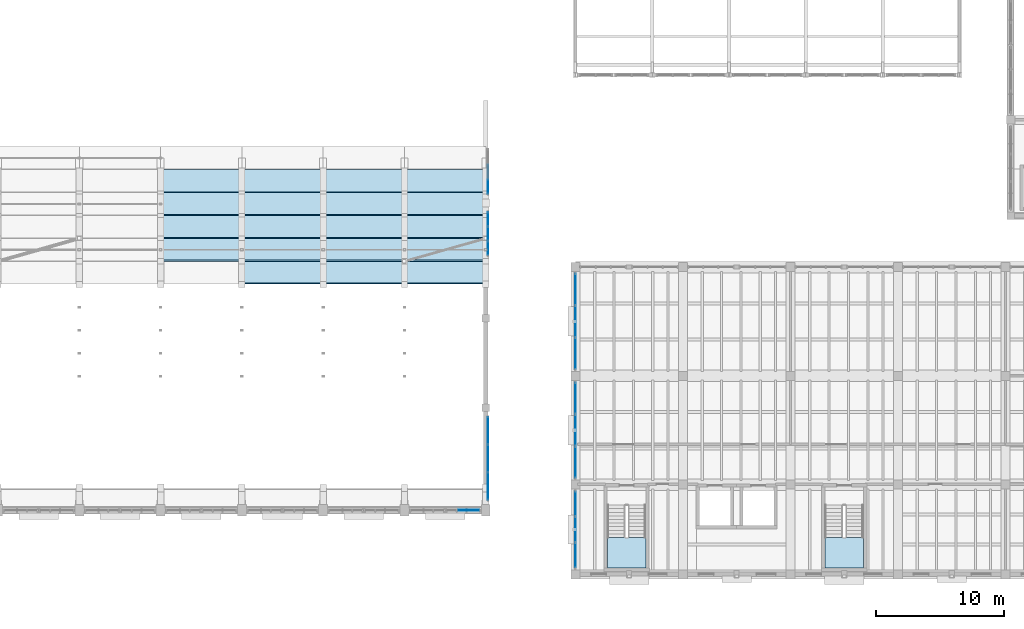
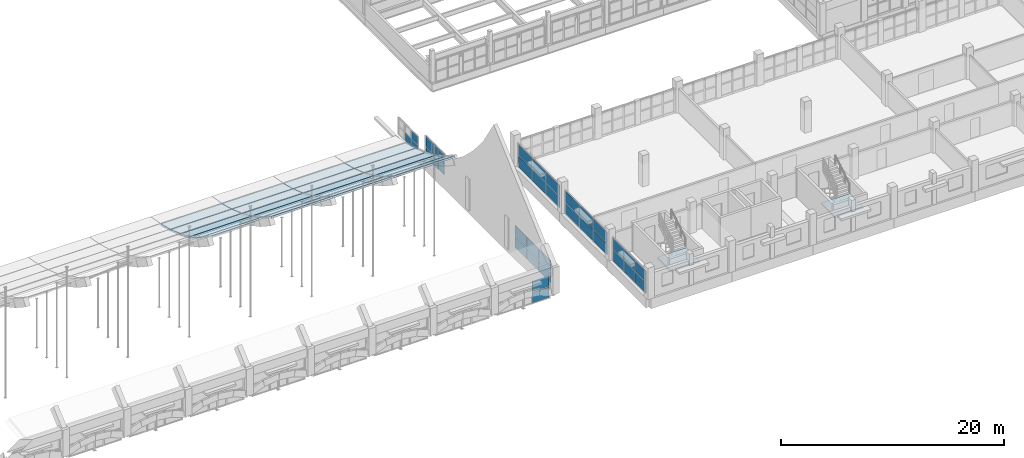
# One storey, part 51 of 77: 35 plates, 21 slabs, 9 elements without a shape of their own.
"""IFC4 building model written with IfcOpenShell, lengths in metres."""

from ifc_helpers import new_model, si_unit, direction, frame, origin, origin_2d, place, context, subcontext, project, spatial, polyline, rectangle, outline, extrude, material, layer, layer_set, type_object, element, aggregate, save


model = new_model("IFC4")

# Units and contexts
model_context = context("Model", 3, precision=1e-05, world=origin(), true_north=direction((0.0, 1.0)))
body_context = subcontext(model_context, "Body", "Model", "MODEL_VIEW")
ifc_project = project(units=[si_unit("LENGTHUNIT", "METRE"), si_unit("AREAUNIT", "SQUARE_METRE"), si_unit("VOLUMEUNIT", "CUBIC_METRE"), si_unit("PLANEANGLEUNIT", "RADIAN"), si_unit("MASSUNIT", "GRAM", prefix="KILO")], contexts=[model_context])

# Site, building, storey
site_placement = place(None, origin())
site = spatial("IfcSite", under=ifc_project, at=site_placement, CompositionType="ELEMENT")
building_placement = place(site_placement, origin())
building = spatial("IfcBuilding", under=site, at=building_placement, Name="Trellovar Central Fire Station", CompositionType="ELEMENT")
storey_placement = place(building_placement, frame((0.0, 0.0, 5.85009765625)))
storey = spatial("IfcBuildingStorey", under=building, at=storey_placement, Name="L02", CompositionType="ELEMENT", Elevation=5.85009765625)

# Curtain wall, plate
ifc_material_1 = material(Name="Thermally broken bronze anodized aluminum", Category="aluminium")
ifc_layer_1 = layer(ifc_material_1, 0.159912109375)
ifc_layer_set_1 = layer_set([ifc_layer_1], Name="Thermally broken bronze anodized aluminum")
curtain_wall_type_1 = type_object("IfcCurtainWallType", Name="CW-15", PredefinedType="NOTDEFINED", material=ifc_layer_set_1)
curtain_wall_1_placement = place(storey_placement, origin())
curtain_wall_1 = element("IfcCurtainWall", 1, at=curtain_wall_1_placement, inside=storey, type_object=curtain_wall_type_1, Name="V1 E ski-jump gable clerestory 1", PredefinedType="NOTDEFINED")
ifc_material_2 = material(Name="Double low-E solar control insulated glazing", Category="glass")
ifc_layer_2 = layer(ifc_material_2, 0.031982421875)
ifc_layer_set_2 = layer_set([ifc_layer_2], Name="Double low-E solar control insulated glazing")
plate_type_1 = type_object("IfcPlateType", Name="CWP-GL1", PredefinedType="CURTAIN_PANEL", material=ifc_layer_set_2)
plate_1_placement = place(storey_placement, frame((98.679931640625, 15.88330078125, 0.389892578125), z_axis=(0.0, 0.0, 1.0), x_axis=(0.0, 1.0, 0.0)))
plate_1 = element("IfcPlate", 2, at=plate_1_placement, type_object=plate_type_1, Name="CW3-L02-0016 panel 1-1", PredefinedType="CURTAIN_PANEL", context=body_context, shape_type="SweptSolid", body=[
    extrude(rectangle(XDim=2.086669921875, YDim=0.031982421875, at=origin_2d()), origin(), (0.0, 0.0, 1.0), 1.169921875),
])

# Curtain wall, plates
ifc_material_3 = material(Name="Thermally broken bronze anodized aluminum", Category="aluminium")
ifc_layer_3 = layer(ifc_material_3, 0.159912109375)
ifc_layer_set_3 = layer_set([ifc_layer_3], Name="Thermally broken bronze anodized aluminum")
curtain_wall_type_2 = type_object("IfcCurtainWallType", Name="CW-16", PredefinedType="NOTDEFINED", material=ifc_layer_set_3)
curtain_wall_2_placement = place(storey_placement, origin())
curtain_wall_2 = element("IfcCurtainWall", 3, at=curtain_wall_2_placement, inside=storey, type_object=curtain_wall_type_2, Name="V1 E ski-jump gable clerestory 4", PredefinedType="NOTDEFINED")
plate_2_placement = place(storey_placement, frame((98.679931640625, 34.466796875, 1.76513671875), z_axis=(0.0, 0.0, 1.0), x_axis=(0.0, 1.0, 0.0)))
plate_2 = element("IfcPlate", 4, at=plate_2_placement, type_object=plate_type_1, Name="CW3-L02-0019 panel 1-2", PredefinedType="CURTAIN_PANEL", context=body_context, shape_type="SweptSolid", body=[
    extrude(rectangle(XDim=1.05322265625, YDim=0.031982421875, at=origin_2d()), origin(), (0.0, 0.0, 1.0), 1.094970703125),
])
plate_3_placement = place(storey_placement, frame((98.679931640625, 35.60009765625, 0.58984375), z_axis=(0.0, 0.0, 1.0), x_axis=(0.0, 1.0, 0.0)))
plate_3 = element("IfcPlate", 5, at=plate_3_placement, type_object=plate_type_1, Name="CW3-L02-0019 panel 2-1", PredefinedType="CURTAIN_PANEL", context=body_context, shape_type="SweptSolid", body=[
    extrude(rectangle(XDim=1.053466796875, YDim=0.031982421875, at=origin_2d()), origin(), (0.0, 0.0, 1.0), 1.094970703125),
])

# Curtain wall, plate
ifc_material_4 = material(Name="Thermally broken bronze anodized aluminum", Category="aluminium")
ifc_layer_4 = layer(ifc_material_4, 0.159912109375)
ifc_layer_set_4 = layer_set([ifc_layer_4], Name="Thermally broken bronze anodized aluminum")
curtain_wall_type_3 = type_object("IfcCurtainWallType", Name="CW-07", PredefinedType="NOTDEFINED", material=ifc_layer_set_4)
curtain_wall_3_placement = place(storey_placement, origin())
curtain_wall_3 = element("IfcCurtainWall", 6, at=curtain_wall_3_placement, inside=storey, type_object=curtain_wall_type_3, Name="V1 E ski-jump gable clerestory 5", PredefinedType="NOTDEFINED")
plate_4_placement = place(storey_placement, frame((98.679931640625, 39.283447265625, 0.14013671875), z_axis=(0.0, 0.0, 1.0), x_axis=(0.0, 1.0, 0.0)))
plate_4 = element("IfcPlate", 7, at=plate_4_placement, type_object=plate_type_1, Name="CW3-L02-0020 panel 1-1", PredefinedType="CURTAIN_PANEL", context=body_context, shape_type="SweptSolid", body=[
    extrude(rectangle(XDim=1.086669921875, YDim=0.031982421875, at=origin_2d()), origin(), (0.0, 0.0, 1.0), 0.844970703125),
])

ifc_material_5 = material(Name="Thermally broken bronze anodized aluminum", Category="aluminium")
ifc_layer_5 = layer(ifc_material_5, 0.159912109375)
ifc_layer_set_5 = layer_set([ifc_layer_5], Name="Thermally broken bronze anodized aluminum")
curtain_wall_type_4 = type_object("IfcCurtainWallType", Name="CW-12", PredefinedType="NOTDEFINED", material=ifc_layer_set_5)
curtain_wall_4_placement = place(storey_placement, origin())
curtain_wall_4 = element("IfcCurtainWall", 8, at=curtain_wall_4_placement, inside=storey, type_object=curtain_wall_type_4, Name="V5 L02 west courtyard curtain wall", PredefinedType="NOTDEFINED")
plate_5_placement = place(storey_placement, frame((105.5, 14.5, 1.31494140625), z_axis=(0.0, 0.0, 1.0), x_axis=(0.0, -1.0, 0.0)))
plate_5 = element("IfcPlate", 9, at=plate_5_placement, type_object=plate_type_1, Name="CW3-L02-0071 panel 1-2", PredefinedType="CURTAIN_PANEL", context=body_context, shape_type="SweptSolid", body=[
    extrude(rectangle(XDim=1.919921875, YDim=0.031982421875, at=origin_2d()), origin(), (0.0, 0.0, 1.0), 1.195068359375),
])

curtain_wall_5_placement = place(storey_placement, origin())
curtain_wall_5 = element("IfcCurtainWall", 10, at=curtain_wall_5_placement, inside=storey, type_object=curtain_wall_type_4, Name="V5 L02 west courtyard curtain wall", PredefinedType="NOTDEFINED")
plate_6_placement = place(storey_placement, frame((105.5, 26.25, 1.31494140625), z_axis=(0.0, 0.0, 1.0), x_axis=(0.0, -1.0, 0.0)))
plate_6 = element("IfcPlate", 11, at=plate_6_placement, type_object=plate_type_1, Name="CW3-L02-0073 panel 3-2", PredefinedType="CURTAIN_PANEL", context=body_context, shape_type="SweptSolid", body=[
    extrude(rectangle(XDim=2.419921875, YDim=0.031982421875, at=origin_2d()), origin(), (0.0, 0.0, 1.0), 1.195068359375),
])

ifc_material_6 = material(Name="Thermally broken bronze anodized aluminum", Category="aluminium")
ifc_layer_6 = layer(ifc_material_6, 0.159912109375)
ifc_layer_set_6 = layer_set([ifc_layer_6], Name="Thermally broken bronze anodized aluminum")
curtain_wall_type_5 = type_object("IfcCurtainWallType", Name="CW-05", PredefinedType="NOTDEFINED", material=ifc_layer_set_6)
curtain_wall_6_placement = place(storey_placement, origin())
curtain_wall_6 = element("IfcCurtainWall", 12, at=curtain_wall_6_placement, inside=storey, type_object=curtain_wall_type_5, Name="V1 south upper clerestory 10", PredefinedType="NOTDEFINED")
ifc_material_7 = material(Name="Double low-E solar control insulated glazing", Category="glass")
ifc_layer_7 = layer(ifc_material_7, 0.035888671875)
ifc_layer_set_7 = layer_set([ifc_layer_7], Name="Double low-E solar control insulated glazing")
plate_type_2 = type_object("IfcPlateType", Name="CWP-GL2", PredefinedType="CURTAIN_PANEL", material=ifc_layer_set_7)
plate_7_placement = place(storey_placement, frame((97.1416015625, 14.0, 0.764892578125), z_axis=(0.0, 0.0, 1.0), x_axis=(1.0, 0.0, 0.0)))
plate_7 = element("IfcPlate", 13, at=plate_7_placement, type_object=plate_type_2, Name="CW3-L02-0010 panel 3-2", PredefinedType="CURTAIN_PANEL", context=body_context, shape_type="SweptSolid", body=[
    extrude(rectangle(XDim=1.73681640625, YDim=0.035888671875, at=origin_2d()), origin(), (0.0, 0.0, 1.0), 1.14501953125),
])

# Plate
plate_8_placement = place(storey_placement, frame((98.679931640625, 15.88330078125, 1.639892578125), z_axis=(0.0, 0.0, 1.0), x_axis=(0.0, 1.0, 0.0)))
plate_8 = element("IfcPlate", 14, at=plate_8_placement, type_object=plate_type_2, Name="CW3-L02-0016 panel 1-2", PredefinedType="CURTAIN_PANEL", context=body_context, shape_type="SweptSolid", body=[
    extrude(rectangle(XDim=2.086669921875, YDim=0.035888671875, at=origin_2d()), origin(), (0.0, 0.0, 1.0), 1.169921875),
])

plate_9_placement = place(storey_placement, frame((98.679931640625, 18.050048828125, 0.389892578125), z_axis=(0.0, 0.0, 1.0), x_axis=(0.0, 1.0, 0.0)))
plate_9 = element("IfcPlate", 15, at=plate_9_placement, type_object=plate_type_2, Name="CW3-L02-0016 panel 2-1", PredefinedType="CURTAIN_PANEL", context=body_context, shape_type="SweptSolid", body=[
    extrude(rectangle(XDim=2.086669921875, YDim=0.035888671875, at=origin_2d()), origin(), (0.0, 0.0, 1.0), 1.169921875),
])

plate_10_placement = place(storey_placement, frame((98.679931640625, 35.60009765625, 1.76513671875), z_axis=(0.0, 0.0, 1.0), x_axis=(0.0, 1.0, 0.0)))
plate_10 = element("IfcPlate", 16, at=plate_10_placement, type_object=plate_type_2, Name="CW3-L02-0019 panel 2-2", PredefinedType="CURTAIN_PANEL", context=body_context, shape_type="SweptSolid", body=[
    extrude(rectangle(XDim=1.053466796875, YDim=0.035888671875, at=origin_2d()), origin(), (0.0, 0.0, 1.0), 1.094970703125),
])

plate_11_placement = place(storey_placement, frame((98.679931640625, 36.7333984375, 0.58984375), z_axis=(0.0, 0.0, 1.0), x_axis=(0.0, 1.0, 0.0)))
plate_11 = element("IfcPlate", 17, at=plate_11_placement, type_object=plate_type_2, Name="CW3-L02-0019 panel 3-1", PredefinedType="CURTAIN_PANEL", context=body_context, shape_type="SweptSolid", body=[
    extrude(rectangle(XDim=1.05322265625, YDim=0.035888671875, at=origin_2d()), origin(), (0.0, 0.0, 1.0), 1.094970703125),
])

plate_12_placement = place(storey_placement, frame((98.679931640625, 39.283447265625, 1.06494140625), z_axis=(0.0, 0.0, 1.0), x_axis=(0.0, 1.0, 0.0)))
plate_12 = element("IfcPlate", 18, at=plate_12_placement, type_object=plate_type_2, Name="CW3-L02-0020 panel 1-2", PredefinedType="CURTAIN_PANEL", context=body_context, shape_type="SweptSolid", body=[
    extrude(rectangle(XDim=1.086669921875, YDim=0.035888671875, at=origin_2d()), origin(), (0.0, 0.0, 1.0), 0.844970703125),
])

plate_13_placement = place(storey_placement, frame((98.679931640625, 40.449951171875, 0.14013671875), z_axis=(0.0, 0.0, 1.0), x_axis=(0.0, 1.0, 0.0)))
plate_13 = element("IfcPlate", 19, at=plate_13_placement, type_object=plate_type_2, Name="CW3-L02-0020 panel 2-1", PredefinedType="CURTAIN_PANEL", context=body_context, shape_type="SweptSolid", body=[
    extrude(rectangle(XDim=1.086669921875, YDim=0.035888671875, at=origin_2d()), origin(), (0.0, 0.0, 1.0), 0.844970703125),
])

aggregate(curtain_wall_3, [plate_4, plate_12, plate_13])

plate_14_placement = place(storey_placement, frame((105.5, 12.5, 1.31494140625), z_axis=(0.0, 0.0, 1.0), x_axis=(0.0, -1.0, 0.0)))
plate_14 = element("IfcPlate", 20, at=plate_14_placement, type_object=plate_type_2, Name="CW3-L02-0071 panel 2-2", PredefinedType="CURTAIN_PANEL", context=body_context, shape_type="SweptSolid", body=[
    extrude(rectangle(XDim=1.919921875, YDim=0.035888671875, at=origin_2d()), origin(), (0.0, 0.0, 1.0), 1.195068359375),
])

# Curtain wall, plate
curtain_wall_7_placement = place(storey_placement, origin())
curtain_wall_7 = element("IfcCurtainWall", 21, at=curtain_wall_7_placement, inside=storey, type_object=curtain_wall_type_4, Name="V5 L02 west courtyard curtain wall", PredefinedType="NOTDEFINED")
plate_15_placement = place(storey_placement, frame((105.5, 22.75, 1.31494140625), z_axis=(0.0, 0.0, 1.0), x_axis=(0.0, -1.0, 0.0)))
plate_15 = element("IfcPlate", 22, at=plate_15_placement, type_object=plate_type_2, Name="CW3-L02-0072 panel 1-2", PredefinedType="CURTAIN_PANEL", context=body_context, shape_type="SweptSolid", body=[
    extrude(rectangle(XDim=2.419921875, YDim=0.035888671875, at=origin_2d()), origin(), (0.0, 0.0, 1.0), 1.195068359375),
])

# Plate
ifc_material_8 = material(Name="Double low-E solar control insulated glazing", Category="glass")
ifc_layer_8 = layer(ifc_material_8, 0.033935546875)
ifc_layer_set_8 = layer_set([ifc_layer_8], Name="Double low-E solar control insulated glazing")
plate_type_3 = type_object("IfcPlateType", Name="CWP-GL3", PredefinedType="CURTAIN_PANEL", material=ifc_layer_set_8)
plate_16_placement = place(storey_placement, frame((98.679931640625, 18.050048828125, 1.639892578125), z_axis=(0.0, 0.0, 1.0), x_axis=(0.0, 1.0, 0.0)))
plate_16 = element("IfcPlate", 23, at=plate_16_placement, type_object=plate_type_3, Name="CW3-L02-0016 panel 2-2", PredefinedType="CURTAIN_PANEL", context=body_context, shape_type="SweptSolid", body=[
    extrude(rectangle(XDim=2.086669921875, YDim=0.033935546875, at=origin_2d()), origin(), (0.0, 0.0, 1.0), 1.169921875),
])

plate_17_placement = place(storey_placement, frame((98.679931640625, 20.216796875, 0.389892578125), z_axis=(0.0, 0.0, 1.0), x_axis=(0.0, 1.0, 0.0)))
plate_17 = element("IfcPlate", 24, at=plate_17_placement, type_object=plate_type_3, Name="CW3-L02-0016 panel 3-1", PredefinedType="CURTAIN_PANEL", context=body_context, shape_type="SweptSolid", body=[
    extrude(rectangle(XDim=2.086669921875, YDim=0.033935546875, at=origin_2d()), origin(), (0.0, 0.0, 1.0), 1.169921875),
])

plate_18_placement = place(storey_placement, frame((98.679931640625, 36.7333984375, 1.76513671875), z_axis=(0.0, 0.0, 1.0), x_axis=(0.0, 1.0, 0.0)))
plate_18 = element("IfcPlate", 25, at=plate_18_placement, type_object=plate_type_3, Name="CW3-L02-0019 panel 3-2", PredefinedType="CURTAIN_PANEL", context=body_context, shape_type="SweptSolid", body=[
    extrude(rectangle(XDim=1.05322265625, YDim=0.033935546875, at=origin_2d()), origin(), (0.0, 0.0, 1.0), 1.094970703125),
])

plate_19_placement = place(storey_placement, frame((105.5, 10.5, 1.31494140625), z_axis=(0.0, 0.0, 1.0), x_axis=(0.0, -1.0, 0.0)))
plate_19 = element("IfcPlate", 26, at=plate_19_placement, type_object=plate_type_3, Name="CW3-L02-0071 panel 3-2", PredefinedType="CURTAIN_PANEL", context=body_context, shape_type="SweptSolid", body=[
    extrude(rectangle(XDim=1.919921875, YDim=0.033935546875, at=origin_2d()), origin(), (0.0, 0.0, 1.0), 1.195068359375),
])

plate_20_placement = place(storey_placement, frame((105.5, 20.25, 1.31494140625), z_axis=(0.0, 0.0, 1.0), x_axis=(0.0, -1.0, 0.0)))
plate_20 = element("IfcPlate", 27, at=plate_20_placement, type_object=plate_type_3, Name="CW3-L02-0072 panel 2-2", PredefinedType="CURTAIN_PANEL", context=body_context, shape_type="SweptSolid", body=[
    extrude(rectangle(XDim=2.419921875, YDim=0.033935546875, at=origin_2d()), origin(), (0.0, 0.0, 1.0), 1.195068359375),
])

plate_21_placement = place(storey_placement, frame((105.5, 31.25, 1.31494140625), z_axis=(0.0, 0.0, 1.0), x_axis=(0.0, -1.0, 0.0)))
plate_21 = element("IfcPlate", 28, at=plate_21_placement, type_object=plate_type_3, Name="CW3-L02-0073 panel 1-2", PredefinedType="CURTAIN_PANEL", context=body_context, shape_type="SweptSolid", body=[
    extrude(rectangle(XDim=2.419921875, YDim=0.033935546875, at=origin_2d()), origin(), (0.0, 0.0, 1.0), 1.195068359375),
])

ifc_material_9 = material(Name="Double low-E solar control insulated glazing", Category="glass")
ifc_layer_9 = layer(ifc_material_9, 0.030029296875)
ifc_layer_set_9 = layer_set([ifc_layer_9], Name="Double low-E solar control insulated glazing")
plate_type_4 = type_object("IfcPlateType", Name="CWP-GL4", PredefinedType="CURTAIN_PANEL", material=ifc_layer_set_9)
plate_22_placement = place(storey_placement, frame((98.679931640625, 20.216796875, 1.639892578125), z_axis=(0.0, 0.0, 1.0), x_axis=(0.0, 1.0, 0.0)))
plate_22 = element("IfcPlate", 29, at=plate_22_placement, type_object=plate_type_4, Name="CW3-L02-0016 panel 3-2", PredefinedType="CURTAIN_PANEL", context=body_context, shape_type="SweptSolid", body=[
    extrude(rectangle(XDim=2.086669921875, YDim=0.030029296875, at=origin_2d()), origin(), (0.0, 0.0, 1.0), 1.169921875),
])

aggregate(curtain_wall_1, [plate_1, plate_8, plate_9, plate_16, plate_17, plate_22])

plate_23_placement = place(storey_placement, frame((98.679931640625, 34.466796875, 0.58984375), z_axis=(0.0, 0.0, 1.0), x_axis=(0.0, 1.0, 0.0)))
plate_23 = element("IfcPlate", 30, at=plate_23_placement, type_object=plate_type_4, Name="CW3-L02-0019 panel 1-1", PredefinedType="CURTAIN_PANEL", context=body_context, shape_type="SweptSolid", body=[
    extrude(rectangle(XDim=1.05322265625, YDim=0.030029296875, at=origin_2d()), origin(), (0.0, 0.0, 1.0), 1.094970703125),
])

aggregate(curtain_wall_2, [plate_23, plate_2, plate_3, plate_10, plate_11, plate_18])

plate_24_placement = place(storey_placement, frame((105.5, 17.75, 1.31494140625), z_axis=(0.0, 0.0, 1.0), x_axis=(0.0, -1.0, 0.0)))
plate_24 = element("IfcPlate", 31, at=plate_24_placement, type_object=plate_type_4, Name="CW3-L02-0072 panel 3-2", PredefinedType="CURTAIN_PANEL", context=body_context, shape_type="SweptSolid", body=[
    extrude(rectangle(XDim=2.419921875, YDim=0.030029296875, at=origin_2d()), origin(), (0.0, 0.0, 1.0), 1.195068359375),
])

plate_25_placement = place(storey_placement, frame((105.5, 28.75, 1.31494140625), z_axis=(0.0, 0.0, 1.0), x_axis=(0.0, -1.0, 0.0)))
plate_25 = element("IfcPlate", 32, at=plate_25_placement, type_object=plate_type_4, Name="CW3-L02-0073 panel 2-2", PredefinedType="CURTAIN_PANEL", context=body_context, shape_type="SweptSolid", body=[
    extrude(rectangle(XDim=2.419921875, YDim=0.030029296875, at=origin_2d()), origin(), (0.0, 0.0, 1.0), 1.195068359375),
])

ifc_material_10 = material(Name="Glazed ceramic trencadis and terracotta panel", Category="masonry")
ifc_layer_10 = layer(ifc_material_10, 0.048095703125)
ifc_layer_set_10 = layer_set([ifc_layer_10], Name="Glazed ceramic trencadis and terracotta panel")
plate_type_5 = type_object("IfcPlateType", Name="CWP-SP1", PredefinedType="CURTAIN_PANEL", material=ifc_layer_set_10)
plate_26_placement = place(storey_placement, frame((97.1416015625, 14.0, -0.460205078125), z_axis=(0.0, 0.0, 1.0), x_axis=(1.0, 0.0, 0.0)))
plate_26 = element("IfcPlate", 33, at=plate_26_placement, type_object=plate_type_5, Name="CW3-L02-0010 panel 3-1", PredefinedType="CURTAIN_PANEL", context=body_context, shape_type="SweptSolid", body=[
    extrude(rectangle(XDim=1.73681640625, YDim=0.048095703125, at=origin_2d()), origin(), (0.0, 0.0, 1.0), 1.14501953125),
])

aggregate(curtain_wall_6, [plate_26, plate_7])

plate_27_placement = place(storey_placement, frame((105.5, 12.5, 0.0400390625), z_axis=(0.0, 0.0, 1.0), x_axis=(0.0, -1.0, 0.0)))
plate_27 = element("IfcPlate", 34, at=plate_27_placement, type_object=plate_type_5, Name="CW3-L02-0071 panel 2-1", PredefinedType="CURTAIN_PANEL", context=body_context, shape_type="SweptSolid", body=[
    extrude(rectangle(XDim=1.919921875, YDim=0.048095703125, at=origin_2d()), origin(), (0.0, 0.0, 1.0), 1.195068359375),
])

plate_28_placement = place(storey_placement, frame((105.5, 22.75, 0.0400390625), z_axis=(0.0, 0.0, 1.0), x_axis=(0.0, -1.0, 0.0)))
plate_28 = element("IfcPlate", 35, at=plate_28_placement, type_object=plate_type_5, Name="CW3-L02-0072 panel 1-1", PredefinedType="CURTAIN_PANEL", context=body_context, shape_type="SweptSolid", body=[
    extrude(rectangle(XDim=2.419921875, YDim=0.048095703125, at=origin_2d()), origin(), (0.0, 0.0, 1.0), 1.195068359375),
])

plate_29_placement = place(storey_placement, frame((105.5, 17.75, 0.0400390625), z_axis=(0.0, 0.0, 1.0), x_axis=(0.0, -1.0, 0.0)))
plate_29 = element("IfcPlate", 36, at=plate_29_placement, type_object=plate_type_5, Name="CW3-L02-0072 panel 3-1", PredefinedType="CURTAIN_PANEL", context=body_context, shape_type="SweptSolid", body=[
    extrude(rectangle(XDim=2.419921875, YDim=0.048095703125, at=origin_2d()), origin(), (0.0, 0.0, 1.0), 1.195068359375),
])

plate_30_placement = place(storey_placement, frame((105.5, 28.75, 0.0400390625), z_axis=(0.0, 0.0, 1.0), x_axis=(0.0, -1.0, 0.0)))
plate_30 = element("IfcPlate", 37, at=plate_30_placement, type_object=plate_type_5, Name="CW3-L02-0073 panel 2-1", PredefinedType="CURTAIN_PANEL", context=body_context, shape_type="SweptSolid", body=[
    extrude(rectangle(XDim=2.419921875, YDim=0.048095703125, at=origin_2d()), origin(), (0.0, 0.0, 1.0), 1.195068359375),
])

ifc_material_11 = material(Name="Glazed ceramic trencadis and terracotta panel", Category="masonry")
ifc_layer_11 = layer(ifc_material_11, 0.044921875)
ifc_layer_set_11 = layer_set([ifc_layer_11], Name="Glazed ceramic trencadis and terracotta panel")
plate_type_6 = type_object("IfcPlateType", Name="CWP-SP2", PredefinedType="CURTAIN_PANEL", material=ifc_layer_set_11)
plate_31_placement = place(storey_placement, frame((105.5, 14.5, 0.0400390625), z_axis=(0.0, 0.0, 1.0), x_axis=(0.0, -1.0, 0.0)))
plate_31 = element("IfcPlate", 38, at=plate_31_placement, type_object=plate_type_6, Name="CW3-L02-0071 panel 1-1", PredefinedType="CURTAIN_PANEL", context=body_context, shape_type="SweptSolid", body=[
    extrude(rectangle(XDim=1.919921875, YDim=0.044921875, at=origin_2d()), origin(), (0.0, 0.0, 1.0), 1.195068359375),
])

plate_32_placement = place(storey_placement, frame((105.5, 10.5, 0.0400390625), z_axis=(0.0, 0.0, 1.0), x_axis=(0.0, -1.0, 0.0)))
plate_32 = element("IfcPlate", 39, at=plate_32_placement, type_object=plate_type_6, Name="CW3-L02-0071 panel 3-1", PredefinedType="CURTAIN_PANEL", context=body_context, shape_type="SweptSolid", body=[
    extrude(rectangle(XDim=1.919921875, YDim=0.044921875, at=origin_2d()), origin(), (0.0, 0.0, 1.0), 1.195068359375),
])

aggregate(curtain_wall_4, [plate_31, plate_5, plate_27, plate_14, plate_32, plate_19])

plate_33_placement = place(storey_placement, frame((105.5, 20.25, 0.0400390625), z_axis=(0.0, 0.0, 1.0), x_axis=(0.0, -1.0, 0.0)))
plate_33 = element("IfcPlate", 40, at=plate_33_placement, type_object=plate_type_6, Name="CW3-L02-0072 panel 2-1", PredefinedType="CURTAIN_PANEL", context=body_context, shape_type="SweptSolid", body=[
    extrude(rectangle(XDim=2.419921875, YDim=0.044921875, at=origin_2d()), origin(), (0.0, 0.0, 1.0), 1.195068359375),
])

aggregate(curtain_wall_7, [plate_28, plate_15, plate_33, plate_20, plate_29, plate_24])

plate_34_placement = place(storey_placement, frame((105.5, 31.25, 0.0400390625), z_axis=(0.0, 0.0, 1.0), x_axis=(0.0, -1.0, 0.0)))
plate_34 = element("IfcPlate", 41, at=plate_34_placement, type_object=plate_type_6, Name="CW3-L02-0073 panel 1-1", PredefinedType="CURTAIN_PANEL", context=body_context, shape_type="SweptSolid", body=[
    extrude(rectangle(XDim=2.419921875, YDim=0.044921875, at=origin_2d()), origin(), (0.0, 0.0, 1.0), 1.195068359375),
])

plate_35_placement = place(storey_placement, frame((105.5, 26.25, 0.0400390625), z_axis=(0.0, 0.0, 1.0), x_axis=(0.0, -1.0, 0.0)))
plate_35 = element("IfcPlate", 42, at=plate_35_placement, type_object=plate_type_6, Name="CW3-L02-0073 panel 3-1", PredefinedType="CURTAIN_PANEL", context=body_context, shape_type="SweptSolid", body=[
    extrude(rectangle(XDim=2.419921875, YDim=0.044921875, at=origin_2d()), origin(), (0.0, 0.0, 1.0), 1.195068359375),
])

aggregate(curtain_wall_5, [plate_34, plate_21, plate_30, plate_25, plate_35, plate_6])

# Stair, slab
ifc_material_12 = material(Name="Concrete C40/50", Category="concrete")
stair_type = type_object("IfcStairType", Name="ST-R1725", PredefinedType="HALF_TURN_STAIR", material=ifc_material_12)
stair_1_placement = place(storey_placement, origin())
stair_1 = element("IfcStair", 43, at=stair_1_placement, inside=storey, type_object=stair_type, Name="L02 Protected exit stair ST-01", PredefinedType="HALF_TURN_STAIR")
ifc_material_13 = material(Name="Concrete C40/50", Category="concrete")
ifc_layer_12 = layer(ifc_material_13, 0.199951171875)
ifc_layer_set_12 = layer_set([ifc_layer_12], Name="Concrete C40/50")
slab_type_1 = type_object("IfcSlabType", Name="SLB-LND", PredefinedType="LANDING", material=ifc_layer_set_12)
slab_1_placement = place(storey_placement, frame((0.0, 0.0, 1.52490234375)))
slab_1 = element("IfcSlab", 44, at=slab_1_placement, type_object=slab_type_1, Name="ST-01 landing 1", PredefinedType="LANDING", context=body_context, shape_type="SweptSolid", body=[
    extrude(outline(polyline([(108.0, 11.8798828125), (108.0, 9.5), (111.0, 9.5), (111.0, 11.8798828125), (108.0, 11.8798828125)])), origin(), (0.0, 0.0, 1.0), 0.199951171875),
])
aggregate(stair_1, [slab_1])

stair_2_placement = place(storey_placement, origin())
stair_2 = element("IfcStair", 45, at=stair_2_placement, inside=storey, type_object=stair_type, Name="L02 Protected exit stair ST-02", PredefinedType="HALF_TURN_STAIR")
slab_2_placement = place(storey_placement, frame((0.0, 0.0, 1.52490234375)))
slab_2 = element("IfcSlab", 46, at=slab_2_placement, type_object=slab_type_1, Name="ST-02 landing 1", PredefinedType="LANDING", context=body_context, shape_type="SweptSolid", body=[
    extrude(outline(polyline([(125.0, 11.8798828125), (125.0, 9.5), (128.0, 9.5), (128.0, 11.8798828125), (125.0, 11.8798828125)])), origin(), (0.0, 0.0, 1.0), 0.199951171875),
])
aggregate(stair_2, [slab_2])

# Slabs
ifc_material_14 = material(Name="Concrete C40/50", Category="concrete")
ifc_layer_13 = layer(ifc_material_14, 0.179931640625)
ifc_layer_set_13 = layer_set([ifc_layer_13], Name="Concrete C40/50")
slab_type_2 = type_object("IfcSlabType", Name="SLB-VLT180", PredefinedType="ROOF", material=ifc_layer_set_13)
slab_3_placement = place(storey_placement, frame((73.10009765625, 33.534423828125, 2.962890625), z_axis=(0.0, 0.476210075204, 0.879331544), x_axis=(1.0, 0.0, 0.0)))
element("IfcSlab", 47, at=slab_3_placement, inside=storey, type_object=slab_type_2, Name="Catalan ski-jump vault strip V1-07-12", PredefinedType="ROOF", context=body_context, shape_type="SweptSolid", body=[
    extrude(outline(polyline([(0.0, 0.0), (6.349853515625, 0.0), (6.349853515625, 1.9373958467360834), (0.0, 1.9373958467360834), (0.0, 0.0)])), origin(), (0.0, 0.0, -1.0), 0.179931640625),
])
slab_4_placement = place(storey_placement, frame((73.10009765625, 35.314453125, 2.00634765625), z_axis=(0.0, 0.40294796215, 0.915222890775), x_axis=(1.0, 0.0, 0.0)))
element("IfcSlab", 48, at=slab_4_placement, inside=storey, type_object=slab_type_2, Name="Catalan ski-jump vault strip V1-07-13", PredefinedType="ROOF", context=body_context, shape_type="SweptSolid", body=[
    extrude(outline(polyline([(0.0, 0.0), (6.349853515625, 0.0), (6.349853515625, 1.8758237936397857), (0.0, 1.8758237936397857), (0.0, 0.0)])), origin(), (0.0, 0.0, -1.0), 0.179931640625),
])
slab_5_placement = place(storey_placement, frame((73.10009765625, 37.094482421875, 1.228271484375), z_axis=(0.0, 0.329584823696, 0.944125968284), x_axis=(1.0, 0.0, 0.0)))
element("IfcSlab", 49, at=slab_5_placement, inside=storey, type_object=slab_type_2, Name="Catalan ski-jump vault strip V1-07-14", PredefinedType="ROOF", context=body_context, shape_type="SweptSolid", body=[
    extrude(outline(polyline([(0.0, 0.0), (6.349853515625, 0.0), (6.349853515625, 1.8326205056290652), (0.0, 1.8326205056290652), (0.0, 0.0)])), origin(), (0.0, 0.0, -1.0), 0.179931640625),
])
slab_6_placement = place(storey_placement, frame((73.10009765625, 38.875, 0.61083984375), z_axis=(0.0, 0.256432117623, 0.96656224272), x_axis=(1.0, 0.0, 0.0)))
element("IfcSlab", 50, at=slab_6_placement, inside=storey, type_object=slab_type_2, Name="Catalan ski-jump vault strip V1-07-15", PredefinedType="ROOF", context=body_context, shape_type="SweptSolid", body=[
    extrude(outline(polyline([(0.0, 0.0), (6.349853515625, 0.0), (6.349853515625, 1.8032154007700378), (0.0, 1.8032154007700378), (0.0, 0.0)])), origin(), (0.0, 0.0, -1.0), 0.179931640625),
])
slab_7_placement = place(storey_placement, frame((79.449951171875, 31.754150390625, 4.123291015625), z_axis=(0.0, 0.549425882728, 0.835542458161), x_axis=(1.0, 0.0, 0.0)))
element("IfcSlab", 51, at=slab_7_placement, inside=storey, type_object=slab_type_2, Name="Catalan ski-jump vault strip V1-08-11", PredefinedType="ROOF", context=body_context, shape_type="SweptSolid", body=[
    extrude(outline(polyline([(0.0, 0.0), (6.35009765625, 0.0), (6.35009765625, 2.0231523496978774), (0.0, 2.0231523496978774), (0.0, 0.0)])), origin(), (0.0, 0.0, -1.0), 0.179931640625),
])
slab_8_placement = place(storey_placement, frame((79.449951171875, 33.534423828125, 2.962890625), z_axis=(0.0, 0.476210075204, 0.879331544), x_axis=(1.0, 0.0, 0.0)))
element("IfcSlab", 52, at=slab_8_placement, inside=storey, type_object=slab_type_2, Name="Catalan ski-jump vault strip V1-08-12", PredefinedType="ROOF", context=body_context, shape_type="SweptSolid", body=[
    extrude(outline(polyline([(0.0, 0.0), (6.35009765625, 0.0), (6.35009765625, 1.9373958467360834), (0.0, 1.9373958467360834), (0.0, 0.0)])), origin(), (0.0, 0.0, -1.0), 0.179931640625),
])
slab_9_placement = place(storey_placement, frame((79.449951171875, 35.314453125, 2.00634765625), z_axis=(0.0, 0.40294796215, 0.915222890775), x_axis=(1.0, 0.0, 0.0)))
element("IfcSlab", 53, at=slab_9_placement, inside=storey, type_object=slab_type_2, Name="Catalan ski-jump vault strip V1-08-13", PredefinedType="ROOF", context=body_context, shape_type="SweptSolid", body=[
    extrude(outline(polyline([(0.0, 0.0), (6.35009765625, 0.0), (6.35009765625, 1.8758237936397855), (0.0, 1.8758237936397855), (0.0, 0.0)])), origin(), (0.0, 0.0, -1.0), 0.179931640625),
])
slab_10_placement = place(storey_placement, frame((79.449951171875, 37.094482421875, 1.228271484375), z_axis=(0.0, 0.329584823696, 0.944125968284), x_axis=(1.0, 0.0, 0.0)))
element("IfcSlab", 54, at=slab_10_placement, inside=storey, type_object=slab_type_2, Name="Catalan ski-jump vault strip V1-08-14", PredefinedType="ROOF", context=body_context, shape_type="SweptSolid", body=[
    extrude(outline(polyline([(0.0, 0.0), (6.35009765625, 0.0), (6.35009765625, 1.8326205056290652), (0.0, 1.8326205056290652), (0.0, 0.0)])), origin(), (0.0, 0.0, -1.0), 0.179931640625),
])
slab_11_placement = place(storey_placement, frame((79.449951171875, 38.875, 0.61083984375), z_axis=(0.0, 0.256432117623, 0.96656224272), x_axis=(1.0, 0.0, 0.0)))
element("IfcSlab", 55, at=slab_11_placement, inside=storey, type_object=slab_type_2, Name="Catalan ski-jump vault strip V1-08-15", PredefinedType="ROOF", context=body_context, shape_type="SweptSolid", body=[
    extrude(outline(polyline([(0.0, 0.0), (6.35009765625, 0.0), (6.35009765625, 1.8032154007700383), (0.0, 1.8032154007700383), (0.0, 0.0)])), origin(), (0.0, 0.0, -1.0), 0.179931640625),
])
slab_12_placement = place(storey_placement, frame((85.800048828125, 31.754150390625, 4.123291015625), z_axis=(0.0, 0.549425882728, 0.835542458161), x_axis=(1.0, 0.0, 0.0)))
element("IfcSlab", 56, at=slab_12_placement, inside=storey, type_object=slab_type_2, Name="Catalan ski-jump vault strip V1-09-11", PredefinedType="ROOF", context=body_context, shape_type="SweptSolid", body=[
    extrude(outline(polyline([(0.0, 0.0), (6.349853515625, 0.0), (6.349853515625, 2.023152349697878), (0.0, 2.023152349697878), (0.0, 0.0)])), origin(), (0.0, 0.0, -1.0), 0.179931640625),
])
slab_13_placement = place(storey_placement, frame((85.800048828125, 33.534423828125, 2.962890625), z_axis=(0.0, 0.476210075204, 0.879331544), x_axis=(1.0, 0.0, 0.0)))
element("IfcSlab", 57, at=slab_13_placement, inside=storey, type_object=slab_type_2, Name="Catalan ski-jump vault strip V1-09-12", PredefinedType="ROOF", context=body_context, shape_type="SweptSolid", body=[
    extrude(outline(polyline([(0.0, 0.0), (6.349853515625, 0.0), (6.349853515625, 1.9373958467360834), (0.0, 1.9373958467360834), (0.0, 0.0)])), origin(), (0.0, 0.0, -1.0), 0.179931640625),
])
slab_14_placement = place(storey_placement, frame((85.800048828125, 35.314453125, 2.00634765625), z_axis=(0.0, 0.40294796215, 0.915222890775), x_axis=(1.0, 0.0, 0.0)))
element("IfcSlab", 58, at=slab_14_placement, inside=storey, type_object=slab_type_2, Name="Catalan ski-jump vault strip V1-09-13", PredefinedType="ROOF", context=body_context, shape_type="SweptSolid", body=[
    extrude(outline(polyline([(0.0, 0.0), (6.349853515625, 0.0), (6.349853515625, 1.8758237936397857), (0.0, 1.8758237936397857), (0.0, 0.0)])), origin(), (0.0, 0.0, -1.0), 0.179931640625),
])
slab_15_placement = place(storey_placement, frame((85.800048828125, 37.094482421875, 1.228271484375), z_axis=(0.0, 0.329584823696, 0.944125968284), x_axis=(1.0, 0.0, 0.0)))
element("IfcSlab", 59, at=slab_15_placement, inside=storey, type_object=slab_type_2, Name="Catalan ski-jump vault strip V1-09-14", PredefinedType="ROOF", context=body_context, shape_type="SweptSolid", body=[
    extrude(outline(polyline([(0.0, 0.0), (6.349853515625, 0.0), (6.349853515625, 1.8326205056290652), (0.0, 1.8326205056290652), (0.0, 0.0)])), origin(), (0.0, 0.0, -1.0), 0.179931640625),
])
slab_16_placement = place(storey_placement, frame((85.800048828125, 38.875, 0.61083984375), z_axis=(0.0, 0.256432117623, 0.96656224272), x_axis=(1.0, 0.0, 0.0)))
element("IfcSlab", 60, at=slab_16_placement, inside=storey, type_object=slab_type_2, Name="Catalan ski-jump vault strip V1-09-15", PredefinedType="ROOF", context=body_context, shape_type="SweptSolid", body=[
    extrude(outline(polyline([(0.0, 0.0), (6.349853515625, 0.0), (6.349853515625, 1.8032154007700378), (0.0, 1.8032154007700378), (0.0, 0.0)])), origin(), (0.0, 0.0, -1.0), 0.179931640625),
])
slab_17_placement = place(storey_placement, frame((92.14990234375, 31.754150390625, 4.123291015625), z_axis=(0.0, 0.549425882728, 0.835542458161), x_axis=(1.0, 0.0, 0.0)))
element("IfcSlab", 61, at=slab_17_placement, inside=storey, type_object=slab_type_2, Name="Catalan ski-jump vault strip V1-10-11", PredefinedType="ROOF", context=body_context, shape_type="SweptSolid", body=[
    extrude(outline(polyline([(0.0, 0.0), (6.35009765625, 0.0), (6.35009765625, 2.0231523496978774), (0.0, 2.0231523496978774), (0.0, 0.0)])), origin(), (0.0, 0.0, -1.0), 0.179931640625),
])
slab_18_placement = place(storey_placement, frame((92.14990234375, 33.534423828125, 2.962890625), z_axis=(0.0, 0.476210075204, 0.879331544), x_axis=(1.0, 0.0, 0.0)))
element("IfcSlab", 62, at=slab_18_placement, inside=storey, type_object=slab_type_2, Name="Catalan ski-jump vault strip V1-10-12", PredefinedType="ROOF", context=body_context, shape_type="SweptSolid", body=[
    extrude(outline(polyline([(0.0, 0.0), (6.35009765625, 0.0), (6.35009765625, 1.9373958467360834), (0.0, 1.9373958467360834), (0.0, 0.0)])), origin(), (0.0, 0.0, -1.0), 0.179931640625),
])
slab_19_placement = place(storey_placement, frame((92.14990234375, 35.314453125, 2.00634765625), z_axis=(0.0, 0.40294796215, 0.915222890775), x_axis=(1.0, 0.0, 0.0)))
element("IfcSlab", 63, at=slab_19_placement, inside=storey, type_object=slab_type_2, Name="Catalan ski-jump vault strip V1-10-13", PredefinedType="ROOF", context=body_context, shape_type="SweptSolid", body=[
    extrude(outline(polyline([(0.0, 0.0), (6.35009765625, 0.0), (6.35009765625, 1.8758237936397855), (0.0, 1.8758237936397855), (0.0, 0.0)])), origin(), (0.0, 0.0, -1.0), 0.179931640625),
])
slab_20_placement = place(storey_placement, frame((92.14990234375, 37.094482421875, 1.228271484375), z_axis=(0.0, 0.329584823696, 0.944125968284), x_axis=(1.0, 0.0, 0.0)))
element("IfcSlab", 64, at=slab_20_placement, inside=storey, type_object=slab_type_2, Name="Catalan ski-jump vault strip V1-10-14", PredefinedType="ROOF", context=body_context, shape_type="SweptSolid", body=[
    extrude(outline(polyline([(0.0, 0.0), (6.35009765625, 0.0), (6.35009765625, 1.8326205056290652), (0.0, 1.8326205056290652), (0.0, 0.0)])), origin(), (0.0, 0.0, -1.0), 0.179931640625),
])
slab_21_placement = place(storey_placement, frame((92.14990234375, 38.875, 0.61083984375), z_axis=(0.0, 0.256432117623, 0.96656224272), x_axis=(1.0, 0.0, 0.0)))
element("IfcSlab", 65, at=slab_21_placement, inside=storey, type_object=slab_type_2, Name="Catalan ski-jump vault strip V1-10-15", PredefinedType="ROOF", context=body_context, shape_type="SweptSolid", body=[
    extrude(outline(polyline([(0.0, 0.0), (6.35009765625, 0.0), (6.35009765625, 1.8032154007700383), (0.0, 1.8032154007700383), (0.0, 0.0)])), origin(), (0.0, 0.0, -1.0), 0.179931640625),
])

save(model, "model.ifc")
